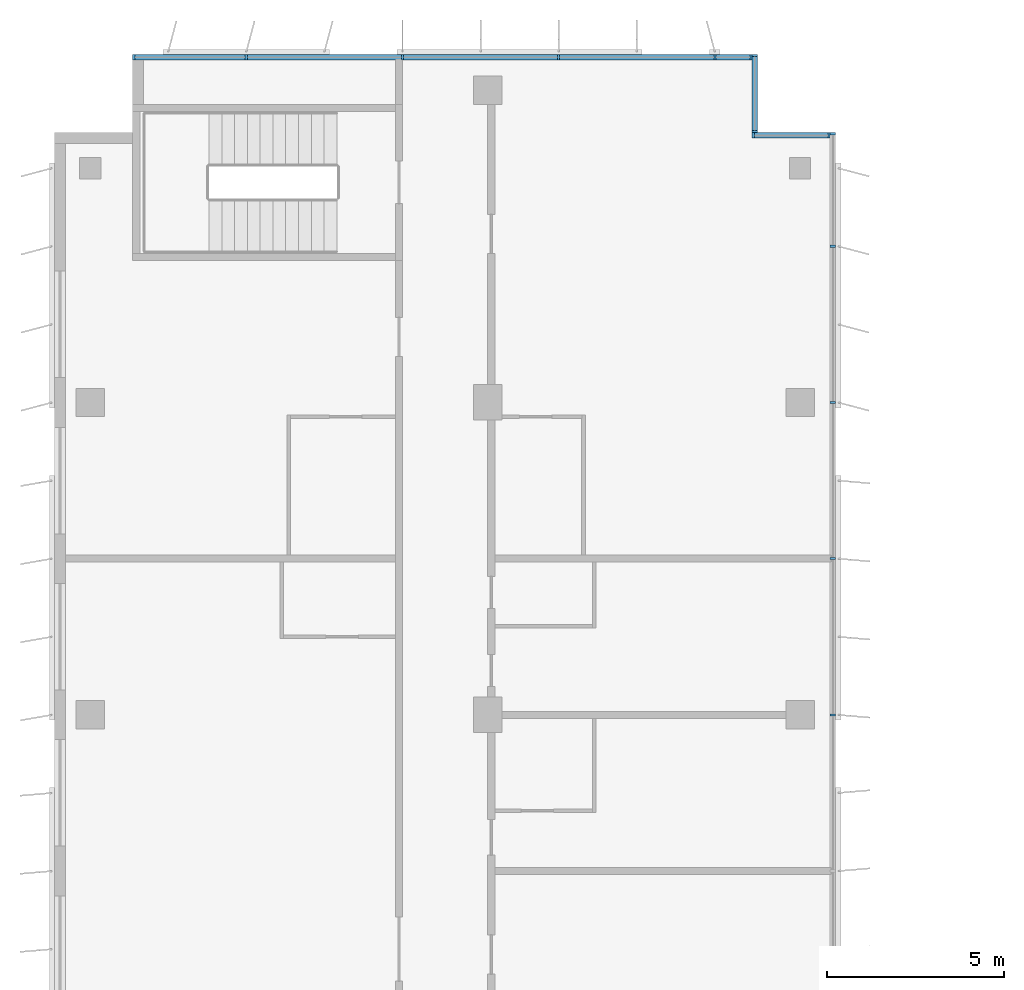
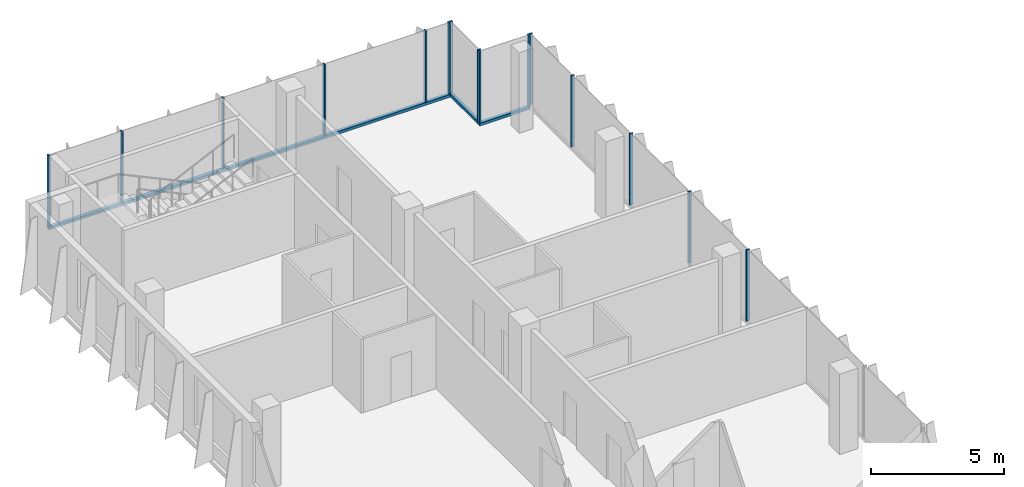
# One storey, part 6 of 15: 18 members, 4 elements without a shape of their own.
"""IFC4 building model written with IfcOpenShell, lengths in metres."""

from ifc_helpers import new_model, si_unit, direction, frame, origin, origin_2d, place, context, subcontext, project, spatial, rectangle, extrude, source, transform, mapped, material, material_profile, profile_set, type_object, element, aggregate, save


model = new_model("IFC4")

# Units and contexts
model_context = context("Model", 3, precision=1e-05, world=origin(), true_north=direction((0.0, 1.0)))
body_context = subcontext(model_context, "Body", "Model", "MODEL_VIEW")
ifc_project = project(units=[si_unit("LENGTHUNIT", "METRE"), si_unit("AREAUNIT", "SQUARE_METRE"), si_unit("VOLUMEUNIT", "CUBIC_METRE"), si_unit("PLANEANGLEUNIT", "RADIAN"), si_unit("MASSUNIT", "GRAM", prefix="KILO")], contexts=[model_context])

# Site, building, storey
site_placement = place(None, origin())
site = spatial("IfcSite", under=ifc_project, at=site_placement, CompositionType="ELEMENT")
building_placement = place(site_placement, origin())
building = spatial("IfcBuilding", under=site, at=building_placement, Name="Kemantara Hotel Tower", CompositionType="ELEMENT")
storey_placement = place(building_placement, frame((0.0, 0.0, 279.60009765625)))
storey = spatial("IfcBuildingStorey", under=building, at=storey_placement, Name="L70", CompositionType="ELEMENT", Elevation=279.60009765625)

# Curtain wall, member
ifc_material_1 = material(Name="Low-E tinted double insulated glass 36 mm", Category="glass")
curtain_wall_type = type_object("IfcCurtainWallType", Name="TOWER CURTAIN WALL, FRONT FACES", PredefinedType="USERDEFINED", material=ifc_material_1)
curtain_wall_1_placement = place(storey_placement, origin())
curtain_wall_1 = element("IfcCurtainWall", 1, at=curtain_wall_1_placement, inside=storey, type_object=curtain_wall_type, Name="CW4 L70 T4-R02-1", ObjectType="TOWER CURTAIN WALL, FRONT FACES", PredefinedType="USERDEFINED")
ifc_material_2 = material(Name="Aluminium 6063-T6 bronze anodised", Category="aluminium")
ifc_material_profile_1 = material_profile(ifc_material_2, rectangle(XDim=0.14990234375, YDim=0.1201171875, at=origin_2d()), Name="TOWER CURTAIN WALL, FRONT FACES TRANSOM")
ifc_profile_set_1 = profile_set([ifc_material_profile_1], Name="Aluminium 6063-T6 bronze anodised")
member_type_1 = type_object("IfcMemberType", Name="TOWER CURTAIN WALL, FRONT FACES TRANSOM", PredefinedType="USERDEFINED", material=ifc_profile_set_1)
member_1_placement = place(storey_placement, frame((19.64990234375, 63.52490234375, 0.059814453125), z_axis=(-1.0, 0.0, 0.0), x_axis=(0.0, -1.0, 0.0)))
member_1 = element("IfcMember", 2, at=member_1_placement, type_object=member_type_1, Name="CW4 sill transom T4-R02-1", ObjectType="TRANSOM", PredefinedType="USERDEFINED", context=body_context, shape_type="SweptSolid", body=[
    extrude(rectangle(XDim=0.14990234375, YDim=0.1201171875, at=origin_2d()), origin(), (0.0, 0.0, 1.0), 17.449951171875),
])

curtain_wall_2_placement = place(storey_placement, origin())
curtain_wall_2 = element("IfcCurtainWall", 3, at=curtain_wall_2_placement, inside=storey, type_object=curtain_wall_type, Name="CW4 L70 T4-R00-1", ObjectType="TOWER CURTAIN WALL, FRONT FACES", PredefinedType="USERDEFINED")
member_2_placement = place(storey_placement, frame((21.85009765625, 61.324951171875, 0.059814453125), z_axis=(-1.0, 0.0, 0.0), x_axis=(0.0, -1.0, 0.0)))
member_2 = element("IfcMember", 4, at=member_2_placement, type_object=member_type_1, Name="CW4 sill transom T4-R00-1", ObjectType="TRANSOM", PredefinedType="USERDEFINED", context=body_context, shape_type="SweptSolid", body=[
    extrude(rectangle(XDim=0.14990234375, YDim=0.1201171875, at=origin_2d()), origin(), (0.0, 0.0, 1.0), 2.2001953125),
])

curtain_wall_3_placement = place(storey_placement, origin())
curtain_wall_3 = element("IfcCurtainWall", 5, at=curtain_wall_3_placement, inside=storey, type_object=curtain_wall_type, Name="CW4 L70 T4-R01-1", ObjectType="TOWER CURTAIN WALL, FRONT FACES", PredefinedType="USERDEFINED")
member_3_placement = place(storey_placement, frame((19.72509765625, 61.39990234375, 0.059814453125), z_axis=(0.0, 1.0, 0.0), x_axis=(-1.0, 0.0, 0.0)))
member_3 = element("IfcMember", 6, at=member_3_placement, type_object=member_type_1, Name="CW4 sill transom T4-R01-1", ObjectType="TRANSOM", PredefinedType="USERDEFINED", context=body_context, shape_type="SweptSolid", body=[
    extrude(rectangle(XDim=0.14990234375, YDim=0.1201171875, at=origin_2d()), origin(), (0.0, 0.0, 1.0), 2.2001953125),
])

# Member
ifc_material_profile_2 = material_profile(ifc_material_2, rectangle(XDim=0.14990234375, YDim=0.06005859375, at=origin_2d()), Name="TOWER CURTAIN WALL, FRONT FACES MULLION")
ifc_profile_set_2 = profile_set([ifc_material_profile_2], Name="Aluminium 6063-T6 bronze anodised")
member_type_2 = type_object("IfcMemberType", Name="TOWER CURTAIN WALL, FRONT FACES MULLION", PredefinedType="MULLION", material=ifc_profile_set_2)
shared_shape = source(origin(), body_context, "Body", "SweptSolid", [
    extrude(rectangle(XDim=0.14990234375, YDim=0.06005859375, at=origin_2d()), origin(), (0.0, 0.0, 1.0), 3.280029296875),
])
member_4_placement = place(storey_placement, frame((19.6201171875, 63.52490234375, 0.119873046875), z_axis=(0.0, 0.0, 1.0), x_axis=(0.0, -1.0, 0.0)))
member_4 = element("IfcMember", 7, at=member_4_placement, type_object=member_type_2, Name="CW4 mullion T4-R02-1.1", PredefinedType="MULLION", context=body_context, shape_type="MappedRepresentation", body=[
    mapped(shared_shape, transform((0.0, 0.0, 0.0))),
])

member_5_placement = place(storey_placement, frame((18.60009765625, 63.52490234375, 0.119873046875), z_axis=(0.0, 0.0, 1.0), x_axis=(0.0, -1.0, 0.0)))
member_5 = element("IfcMember", 8, at=member_5_placement, type_object=member_type_2, Name="CW4 mullion T4-R02-1.2", PredefinedType="MULLION", context=body_context, shape_type="MappedRepresentation", body=[
    mapped(shared_shape, transform((0.0, 0.0, 0.0))),
])

member_6_placement = place(storey_placement, frame((14.199951171875, 63.52490234375, 0.119873046875), z_axis=(0.0, 0.0, 1.0), x_axis=(0.0, -1.0, 0.0)))
member_6 = element("IfcMember", 9, at=member_6_placement, type_object=member_type_2, Name="CW4 mullion T4-R02-1.3", PredefinedType="MULLION", context=body_context, shape_type="MappedRepresentation", body=[
    mapped(shared_shape, transform((0.0, 0.0, 0.0))),
])

member_7_placement = place(storey_placement, frame((9.800048828125, 63.52490234375, 0.119873046875), z_axis=(0.0, 0.0, 1.0), x_axis=(0.0, -1.0, 0.0)))
member_7 = element("IfcMember", 10, at=member_7_placement, type_object=member_type_2, Name="CW4 mullion T4-R02-1.4", PredefinedType="MULLION", context=body_context, shape_type="MappedRepresentation", body=[
    mapped(shared_shape, transform((0.0, 0.0, 0.0))),
])

member_8_placement = place(storey_placement, frame((5.39990234375, 63.52490234375, 0.119873046875), z_axis=(0.0, 0.0, 1.0), x_axis=(0.0, -1.0, 0.0)))
member_8 = element("IfcMember", 11, at=member_8_placement, type_object=member_type_2, Name="CW4 mullion T4-R02-1.5", PredefinedType="MULLION", context=body_context, shape_type="MappedRepresentation", body=[
    mapped(shared_shape, transform((0.0, 0.0, 0.0))),
])

member_9_placement = place(storey_placement, frame((2.22998046875, 63.52490234375, 0.119873046875), z_axis=(0.0, 0.0, 1.0), x_axis=(0.0, -1.0, 0.0)))
member_9 = element("IfcMember", 12, at=member_9_placement, type_object=member_type_2, Name="CW4 mullion T4-R02-1.6", PredefinedType="MULLION", context=body_context, shape_type="MappedRepresentation", body=[
    mapped(shared_shape, transform((0.0, 0.0, 0.0))),
])

aggregate(curtain_wall_1, [member_1, member_4, member_5, member_6, member_7, member_8, member_9])

# Curtain wall, members
curtain_wall_4_placement = place(storey_placement, origin())
curtain_wall_4 = element("IfcCurtainWall", 13, at=curtain_wall_4_placement, inside=storey, type_object=curtain_wall_type, Name="CW4 L70 T4-R15-1", ObjectType="TOWER CURTAIN WALL, FRONT FACES", PredefinedType="USERDEFINED")
member_10_placement = place(storey_placement, frame((21.925048828125, 45.0, 0.119873046875), z_axis=(0.0, 0.0, 1.0), x_axis=(-1.0, 0.0, 0.0)))
member_10 = element("IfcMember", 14, at=member_10_placement, type_object=member_type_2, Name="CW4 mullion T4-R15-1.6", PredefinedType="MULLION", context=body_context, shape_type="MappedRepresentation", body=[
    mapped(shared_shape, transform((0.0, 0.0, 0.0))),
])
member_11_placement = place(storey_placement, frame((21.925048828125, 49.39990234375, 0.119873046875), z_axis=(0.0, 0.0, 1.0), x_axis=(-1.0, 0.0, 0.0)))
member_11 = element("IfcMember", 15, at=member_11_placement, type_object=member_type_2, Name="CW4 mullion T4-R15-1.7", PredefinedType="MULLION", context=body_context, shape_type="MappedRepresentation", body=[
    mapped(shared_shape, transform((0.0, 0.0, 0.0))),
])
member_12_placement = place(storey_placement, frame((21.925048828125, 53.800048828125, 0.119873046875), z_axis=(0.0, 0.0, 1.0), x_axis=(-1.0, 0.0, 0.0)))
member_12 = element("IfcMember", 16, at=member_12_placement, type_object=member_type_2, Name="CW4 mullion T4-R15-1.8", PredefinedType="MULLION", context=body_context, shape_type="MappedRepresentation", body=[
    mapped(shared_shape, transform((0.0, 0.0, 0.0))),
])
member_13_placement = place(storey_placement, frame((21.925048828125, 58.199951171875, 0.119873046875), z_axis=(0.0, 0.0, 1.0), x_axis=(-1.0, 0.0, 0.0)))
member_13 = element("IfcMember", 17, at=member_13_placement, type_object=member_type_2, Name="CW4 mullion T4-R15-1.9", PredefinedType="MULLION", context=body_context, shape_type="MappedRepresentation", body=[
    mapped(shared_shape, transform((0.0, 0.0, 0.0))),
])
member_14_placement = place(storey_placement, frame((21.925048828125, 61.3701171875, 0.119873046875), z_axis=(0.0, 0.0, 1.0), x_axis=(-1.0, 0.0, 0.0)))
member_14 = element("IfcMember", 18, at=member_14_placement, type_object=member_type_2, Name="CW4 mullion T4-R15-1.10", PredefinedType="MULLION", context=body_context, shape_type="MappedRepresentation", body=[
    mapped(shared_shape, transform((0.0, 0.0, 0.0))),
])
aggregate(curtain_wall_4, [member_10, member_11, member_12, member_13, member_14])

# Member
member_15_placement = place(storey_placement, frame((21.820068359375, 61.324951171875, 0.119873046875), z_axis=(0.0, 0.0, 1.0), x_axis=(0.0, -1.0, 0.0)))
member_15 = element("IfcMember", 19, at=member_15_placement, type_object=member_type_2, Name="CW4 mullion T4-R00-1.1", PredefinedType="MULLION", context=body_context, shape_type="MappedRepresentation", body=[
    mapped(shared_shape, transform((0.0, 0.0, 0.0))),
])

member_16_placement = place(storey_placement, frame((19.679931640625, 61.324951171875, 0.119873046875), z_axis=(0.0, 0.0, 1.0), x_axis=(0.0, -1.0, 0.0)))
member_16 = element("IfcMember", 20, at=member_16_placement, type_object=member_type_2, Name="CW4 mullion T4-R00-1.2", PredefinedType="MULLION", context=body_context, shape_type="MappedRepresentation", body=[
    mapped(shared_shape, transform((0.0, 0.0, 0.0))),
])

aggregate(curtain_wall_2, [member_2, member_15, member_16])

member_17_placement = place(storey_placement, frame((19.72509765625, 61.429931640625, 0.119873046875), z_axis=(0.0, 0.0, 1.0), x_axis=(-1.0, 0.0, 0.0)))
member_17 = element("IfcMember", 21, at=member_17_placement, type_object=member_type_2, Name="CW4 mullion T4-R01-1.1", PredefinedType="MULLION", context=body_context, shape_type="MappedRepresentation", body=[
    mapped(shared_shape, transform((0.0, 0.0, 0.0))),
])

member_18_placement = place(storey_placement, frame((19.72509765625, 63.570068359375, 0.119873046875), z_axis=(0.0, 0.0, 1.0), x_axis=(-1.0, 0.0, 0.0)))
member_18 = element("IfcMember", 22, at=member_18_placement, type_object=member_type_2, Name="CW4 mullion T4-R01-1.2", PredefinedType="MULLION", context=body_context, shape_type="MappedRepresentation", body=[
    mapped(shared_shape, transform((0.0, 0.0, 0.0))),
])

aggregate(curtain_wall_3, [member_3, member_17, member_18])

save(model, "model.ifc")
